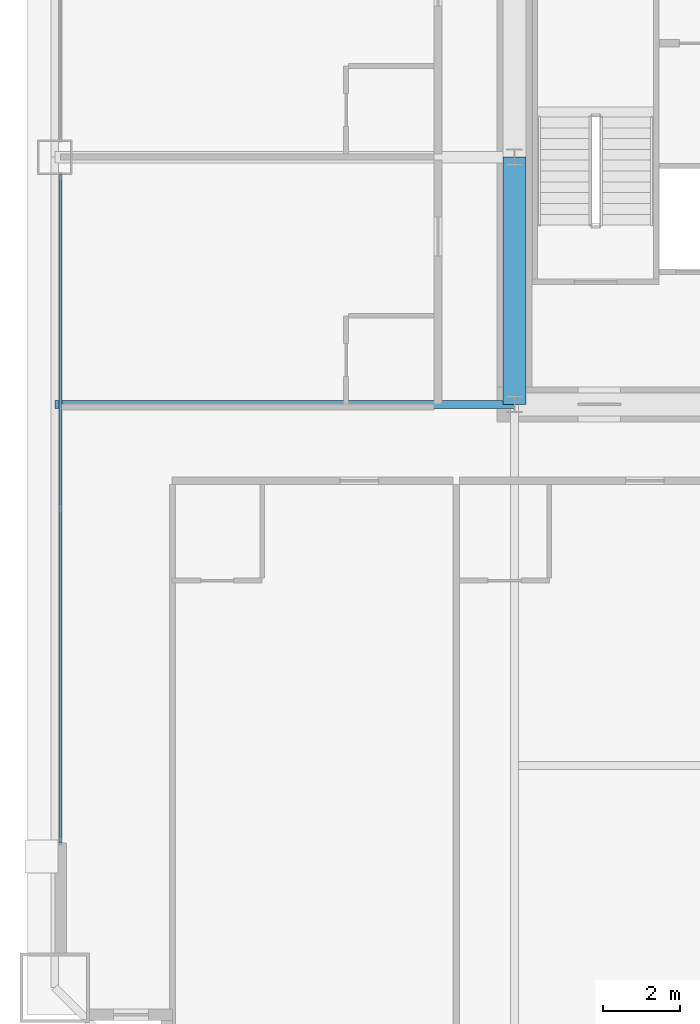
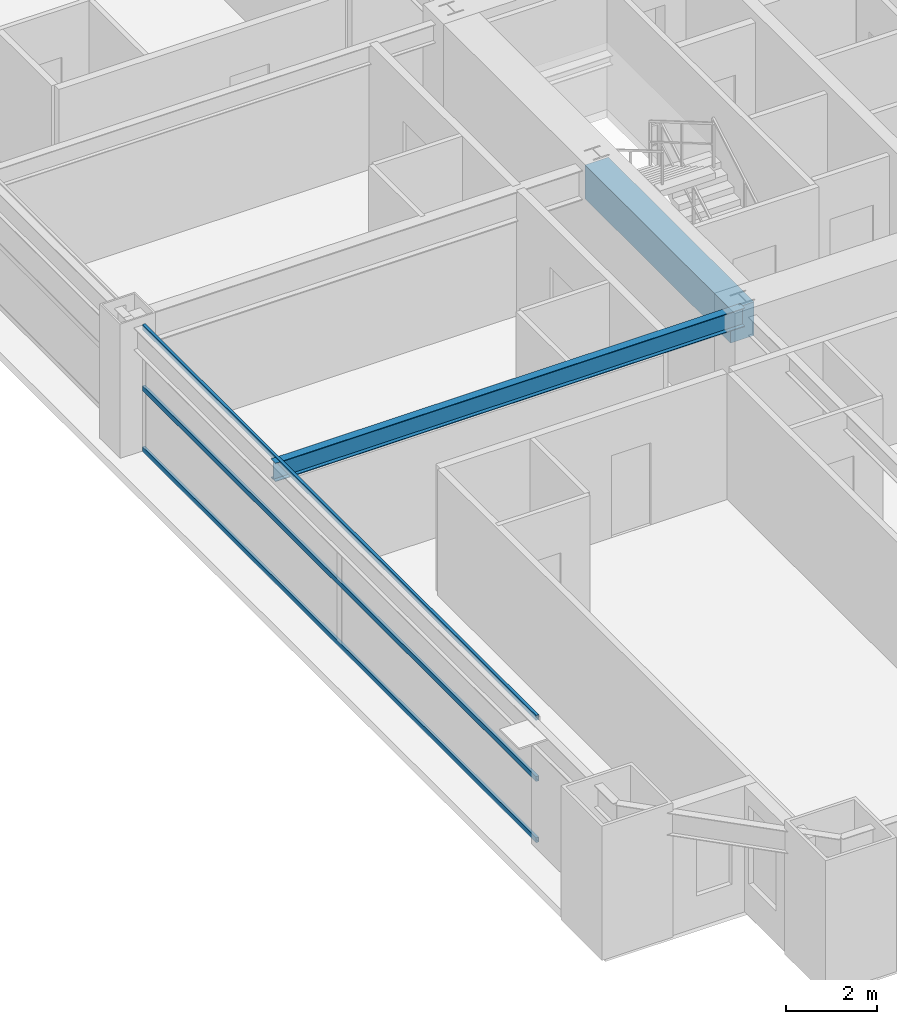
# One storey, part 11 of 45: 3 members, 2 beams, 1 element without a shape of its own.
"""IFC4 building model written with IfcOpenShell, lengths in metres."""

import ifcopenshell
import ifcopenshell.guid

model = None  # the IFC model being written
_history = None  # IfcOwnerHistory: only IFC2X3 demands one
_inside = {}  # id of a spatial element -> (the spatial element, [elements in it])
_under = {}  # id of a project, library or spatial element -> (it, [spatial elements below it])
_declared = {}  # id of a project -> (the project, [libraries it declares])
_typed = {}  # id of a type object -> (the type object, [elements of that type])
_made_of = {}  # id of a material, layer set ... -> (it, [elements and type objects made of it])


def new_model(schema):
    """Start an empty IFC model of exactly this schema.

    Asked for "IFC4X3", IfcOpenShell would pick the latest addendum, in which some entities
    have other attributes; the version numbers below select the first issue.
    IFC2X3 requires an IfcOwnerHistory on every rooted entity: one is made here for all.
    """
    global model, _history
    if schema == "IFC4X3":
        model = ifcopenshell.file(schema_version=(4, 3, 0, 0))
    else:
        model = ifcopenshell.file(schema=schema)
    _inside.clear()
    _under.clear()
    _declared.clear()
    _typed.clear()
    _made_of.clear()
    _history = None
    if model.schema == "IFC2X3":
        org = make("IfcOrganization", Name="unknown")
        user = make(
            "IfcPersonAndOrganization",
            ThePerson=make("IfcPerson", FamilyName="unknown"),
            TheOrganization=org,
        )
        app = make(
            "IfcApplication",
            ApplicationDeveloper=org,
            Version="unknown",
            ApplicationFullName="unknown",
            ApplicationIdentifier="unknown",
        )
        _history = make(
            "IfcOwnerHistory",
            OwningUser=user,
            OwningApplication=app,
            ChangeAction="ADDED",
            CreationDate=0,
        )
    return model


def make(cls, **values):
    """One entity of the class cls with the attributes given. An attribute that is None is left unset."""
    return model.create_entity(
        cls, **{name: value for name, value in values.items() if value is not None}
    )


def rooted(cls, **values):
    """An entity with a GlobalId (a new one), such as an element, a storey or a relation."""
    return make(cls, GlobalId=ifcopenshell.guid.new(), OwnerHistory=_history, **values)


def si_unit(unit_type, name, prefix=None):
    """IfcSIUnit, for example si_unit("LENGTHUNIT", "METRE", prefix="MILLI")."""
    return make("IfcSIUnit", UnitType=unit_type, Prefix=prefix, Name=name)


def assignment(units):
    """IfcUnitAssignment: the units of a project."""
    return None if units is None else make("IfcUnitAssignment", Units=units)


def point(xyz):
    """IfcCartesianPoint."""
    return None if xyz is None else make("IfcCartesianPoint", Coordinates=xyz)


def direction(xyz):
    """IfcDirection."""
    return None if xyz is None else make("IfcDirection", DirectionRatios=xyz)


def frame(location, z_axis=None, x_axis=None):
    """IfcAxis2Placement3D, a coordinate frame: its origin and axes. An axis left out is left unset."""
    return make(
        "IfcAxis2Placement3D",
        Location=point(location),
        Axis=direction(z_axis),
        RefDirection=direction(x_axis),
    )


def frame_2d(location, x_axis=None):
    """IfcAxis2Placement2D, a coordinate frame in the plane: its origin and x axis."""
    return make(
        "IfcAxis2Placement2D", Location=point(location), RefDirection=direction(x_axis)
    )


def origin():
    """The frame at (0, 0, 0) with its axes left unset."""
    return frame((0.0, 0.0, 0.0))


def origin_2d():
    """The frame at (0, 0) in the plane with its x axis left unset."""
    return frame_2d((0.0, 0.0))


def place(relative_to, where):
    """IfcLocalPlacement: puts the frame where relative to a parent placement (None: the world)."""
    return make(
        "IfcLocalPlacement", PlacementRelTo=relative_to, RelativePlacement=where
    )


def context(
    kind, dimensions, precision=None, world=None, true_north=None, identifier=None
):
    """IfcGeometricRepresentationContext, for example the 3D "Model" context."""
    return make(
        "IfcGeometricRepresentationContext",
        ContextIdentifier=identifier,
        ContextType=kind,
        CoordinateSpaceDimension=dimensions,
        Precision=precision,
        WorldCoordinateSystem=world,
        TrueNorth=true_north,
    )


def subcontext(parent, identifier, kind, view, scale=None):
    """IfcGeometricRepresentationSubContext, for example "Body" below "Model"."""
    return make(
        "IfcGeometricRepresentationSubContext",
        ContextIdentifier=identifier,
        ContextType=kind,
        ParentContext=parent,
        TargetScale=scale,
        TargetView=view,
    )


def project(units=None, contexts=None):
    """IfcProject with its units and contexts."""
    return rooted(
        "IfcProject",
        Name="project",
        RepresentationContexts=contexts,
        UnitsInContext=assignment(units),
    )


def spatial(cls, under=None, at=None, **own):
    """A site, building, storey or space (cls), placed at a placement, below another one or the project."""
    s = rooted(cls, ObjectPlacement=at, **own)
    if under is not None:
        _under.setdefault(under.id(), (under, []))[1].append(s)
    return s


def profile(cls, at=None, kind="AREA", **sizes):
    """A parametric profile (cls). Its sizes go by their IFC names, for example OverallWidth=200.0."""
    return make(cls, ProfileType=kind, Position=at, **sizes)


def rectangle(**sizes):
    """IfcRectangleProfileDef."""
    return profile("IfcRectangleProfileDef", **sizes)


def hollow_rectangle(**sizes):
    """IfcRectangleHollowProfileDef."""
    return profile("IfcRectangleHollowProfileDef", **sizes)


def i_section(**sizes):
    """IfcIShapeProfileDef."""
    return profile("IfcIShapeProfileDef", **sizes)


def extrude(swept, where, along, depth):
    """IfcExtrudedAreaSolid: the profile swept, set in the frame where, extruded along a direction by depth."""
    return make(
        "IfcExtrudedAreaSolid",
        SweptArea=swept,
        Position=where,
        ExtrudedDirection=direction(along),
        Depth=depth,
    )


def shape(context_of_items, identifier, shape_type, items):
    """IfcShapeRepresentation: the items that make up one representation, for example the "Body"."""
    return make(
        "IfcShapeRepresentation",
        ContextOfItems=context_of_items,
        RepresentationIdentifier=identifier,
        RepresentationType=shape_type,
        Items=items,
    )


def source(mapping_origin, context_of_items, identifier, shape_type, items):
    """IfcRepresentationMap: a shape defined once, which mapped items show again and again."""
    return make(
        "IfcRepresentationMap",
        MappingOrigin=mapping_origin,
        MappedRepresentation=shape(context_of_items, identifier, shape_type, items),
    )


def transform(
    local_origin,
    x_axis=None,
    y_axis=None,
    z_axis=None,
    scale=None,
    scale2=None,
    scale3=None,
    uniform=True,
):
    """IfcCartesianTransformationOperator3D, or its non-uniform kind. x_axis, y_axis, z_axis: its Axis1, 2, 3."""
    if uniform:
        return make(
            "IfcCartesianTransformationOperator3D",
            Axis1=direction(x_axis),
            Axis2=direction(y_axis),
            LocalOrigin=point(local_origin),
            Scale=scale,
            Axis3=direction(z_axis),
        )
    return make(
        "IfcCartesianTransformationOperator3DnonUniform",
        Axis1=direction(x_axis),
        Axis2=direction(y_axis),
        LocalOrigin=point(local_origin),
        Scale=scale,
        Axis3=direction(z_axis),
        Scale2=scale2,
        Scale3=scale3,
    )


def mapped(mapping_source, mapping_target):
    """IfcMappedItem: shows the shape of a source again, moved by a transform."""
    return make(
        "IfcMappedItem", MappingSource=mapping_source, MappingTarget=mapping_target
    )


def material(Name=None, Category=None):
    """IfcMaterial."""
    return make("IfcMaterial", Name=Name, Category=Category)


def layer(
    of_material, thickness, ventilated=None, Name=None, Category=None, Priority=None
):
    """IfcMaterialLayer: one layer of a wall or slab, of a material (None: an air gap)."""
    return make(
        "IfcMaterialLayer",
        Material=of_material,
        LayerThickness=thickness,
        IsVentilated=ventilated,
        Name=Name,
        Category=Category,
        Priority=Priority,
    )


def layer_set(layers, Name=None):
    """IfcMaterialLayerSet."""
    return make("IfcMaterialLayerSet", MaterialLayers=layers, LayerSetName=Name)


def material_profile(
    of_material, cross_section, Name=None, Category=None, Priority=None
):
    """IfcMaterialProfile: a cross section and its material."""
    return make(
        "IfcMaterialProfile",
        Name=Name,
        Material=of_material,
        Profile=cross_section,
        Priority=Priority,
        Category=Category,
    )


def profile_set(profiles, Name=None, composite=None):
    """IfcMaterialProfileSet."""
    return make(
        "IfcMaterialProfileSet",
        Name=Name,
        MaterialProfiles=profiles,
        CompositeProfile=composite,
    )


def made_of(thing, what):
    """Note that an element or type object is made of a material, layer set ...; save() writes the relation."""
    if what is not None:
        _made_of.setdefault(what.id(), (what, []))[1].append(thing)
    return thing


def type_object(cls, material=None, **own):
    """A type object (cls), such as IfcWallType, which elements share."""
    return made_of(rooted(cls, **own), material)


def element(
    cls,
    number,
    at=None,
    inside=None,
    cuts=None,
    type_object=None,
    material=None,
    context=None,
    identifier="Body",
    shape_type=None,
    held_by="IfcProductDefinitionShape",
    body=None,
    shapes=None,
    **own,
):
    """One element of the class cls, such as IfcWall. Its Tag is "e" and its number.

    at: its placement. inside: the storey or other place that contains it. cuts: it is an
    opening in that element (IfcRelVoidsElement). A single representation is given by context,
    identifier, shape_type and body (its items); several are given by shapes. held_by: the class
    of the entity that holds the representations. save() writes the other relations.
    """
    e = rooted(cls, Tag="e%d" % number, ObjectPlacement=at, **own)
    if body is not None:
        shapes = [shape(context, identifier, shape_type, body)]
    if shapes is not None:
        e.Representation = make(held_by, Representations=shapes)
    if inside is not None:
        _inside.setdefault(inside.id(), (inside, []))[1].append(e)
    if cuts is not None:
        rooted(
            "IfcRelVoidsElement", RelatingBuildingElement=cuts, RelatedOpeningElement=e
        )
    if type_object is not None:
        _typed.setdefault(type_object.id(), (type_object, []))[1].append(e)
    return made_of(e, material)


def aggregate(whole, parts):
    """IfcRelAggregates: a whole, such as a stair, and the parts it consists of."""
    return rooted("IfcRelAggregates", RelatingObject=whole, RelatedObjects=parts)


def save(model, path):
    """Write the relations noted so far, then the file.

    IfcRelAggregates (storeys below a building ...), IfcRelContainedInSpatialStructure (elements
    in a storey), IfcRelDefinesByType, IfcRelAssociatesMaterial and IfcRelDeclares: one each for
    every whole, place, type object, material and project.
    """
    for whole, parts in _under.values():
        aggregate(whole, parts)
    for where, things in _inside.values():
        rooted(
            "IfcRelContainedInSpatialStructure",
            RelatedElements=things,
            RelatingStructure=where,
        )
    for kind, things in _typed.values():
        rooted("IfcRelDefinesByType", RelatedObjects=things, RelatingType=kind)
    for what, things in _made_of.values():
        rooted("IfcRelAssociatesMaterial", RelatedObjects=things, RelatingMaterial=what)
    for by, libraries in _declared.values():
        rooted("IfcRelDeclares", RelatingContext=by, RelatedDefinitions=libraries)
    model.write(path)


model = new_model("IFC4")

# Units and contexts
model_context = context("Model", 3, precision=1e-05, world=origin(), true_north=direction((0.0, 1.0)))
body_context = subcontext(model_context, "Body", "Model", "MODEL_VIEW")
ifc_project = project(units=[si_unit("LENGTHUNIT", "METRE"), si_unit("AREAUNIT", "SQUARE_METRE"), si_unit("VOLUMEUNIT", "CUBIC_METRE"), si_unit("PLANEANGLEUNIT", "RADIAN"), si_unit("MASSUNIT", "GRAM", prefix="KILO"), si_unit("THERMODYNAMICTEMPERATUREUNIT", "KELVIN"), si_unit("POWERUNIT", "WATT")], contexts=[model_context])

# Site, building, storey
site_placement = place(None, origin())
site = spatial("IfcSite", under=ifc_project, at=site_placement, CompositionType="ELEMENT")
building_placement = place(site_placement, origin())
building = spatial("IfcBuilding", under=site, at=building_placement, Name="Yuzanri Waterfront Tower", CompositionType="ELEMENT")
storey_placement = place(building_placement, frame((0.0, 0.0, 34.199951171875)))
storey = spatial("IfcBuildingStorey", under=building, at=storey_placement, Name="L08", CompositionType="ELEMENT", Elevation=34.199951171875)

# Beams
ifc_material_1 = material(Name="Concrete C60", Category="concrete")
ifc_material_profile_1 = material_profile(ifc_material_1, rectangle(XDim=0.60009765625, YDim=0.89990234375, at=origin_2d()), Name="RC 600x900")
ifc_profile_set_1 = profile_set([ifc_material_profile_1], Name="Concrete C60")
beam_type_1 = type_object("IfcBeamType", Name="Core Coupling Lintel Concrete C60 600x900", PredefinedType="LINTEL", material=ifc_profile_set_1)
shared_shape_1 = source(origin(), body_context, "Body", "SweptSolid", [
    extrude(rectangle(XDim=0.60009765625, YDim=0.89990234375, at=origin_2d()), origin(), (0.0, 0.0, 1.0), 6.400146484375),
])
beam_1_placement = place(storey_placement, frame((23.800048828125, 19.39990234375, 2.929931640625), z_axis=(0.0, 1.0, 0.0), x_axis=(-1.0, 0.0, 0.0)))
element("IfcBeam", 1, at=beam_1_placement, inside=storey, type_object=beam_type_1, Name="L08 Core Tie Beam CW1", PredefinedType="LINTEL", context=body_context, shape_type="MappedRepresentation", body=[
    mapped(shared_shape_1, transform((0.0, 0.0, 0.0), scale=1.0)),
])
ifc_material_2 = material(Name="Steel Q355B", Category="steel")
ifc_material_profile_2 = material_profile(ifc_material_2, i_section(OverallWidth=0.199951171875, OverallDepth=0.5, WebThickness=0.010009765625, FlangeThickness=0.01611328125, at=origin_2d()), Name="HN 500x200x10x16")
ifc_profile_set_2 = profile_set([ifc_material_profile_2], Name="Steel Q355B")
beam_type_2 = type_object("IfcBeamType", Name="Secondary Floor Beam Q355B HN 500x200", PredefinedType="BEAM", material=ifc_profile_set_2)
shared_shape_2 = source(origin(), body_context, "Body", "SweptSolid", [
    extrude(i_section(OverallWidth=0.199951171875, OverallDepth=0.5, WebThickness=0.010009765625, FlangeThickness=0.01611328125, at=origin_2d()), origin(), (0.0, 0.0, 1.0), 11.900146484375),
])
beam_2_placement = place(storey_placement, frame((23.800048828125, 19.39990234375, 3.130126953125), z_axis=(-1.0, 0.0, 0.0), x_axis=(0.0, -1.0, 0.0)))
element("IfcBeam", 2, at=beam_2_placement, inside=storey, type_object=beam_type_2, Name="L08 West-South Core Line Beam", PredefinedType="BEAM", context=body_context, shape_type="MappedRepresentation", body=[
    mapped(shared_shape_2, transform((0.0, 0.0, 0.0), scale=1.0)),
])

# Curtain wall, members
ifc_material_3 = material(Name="Anodized Architectural Bronze", Category="metal")
ifc_layer = layer(ifc_material_3, 0.159912109375)
ifc_layer_set = layer_set([ifc_layer], Name="Anodized Architectural Bronze")
curtain_wall_type = type_object("IfcCurtainWallType", Name="Anodized Bronze Hotel Lower-Tier Recessed Unitized Curtain Wall 8100", PredefinedType="NOTDEFINED", material=ifc_layer_set)
curtain_wall_placement = place(storey_placement, origin())
curtain_wall = element("IfcCurtainWall", 3, at=curtain_wall_placement, inside=storey, type_object=curtain_wall_type, Name="L08 Curtain Wall CW-L08-WL", PredefinedType="NOTDEFINED")
ifc_material_4 = material(Name="Anodized Architectural Bronze", Category="metal")
ifc_material_profile_3 = material_profile(ifc_material_4, hollow_rectangle(XDim=0.070068359375, YDim=0.135009765625, WallThickness=0.00341796875, at=origin_2d()), Name="CWT 70x135")
ifc_profile_set_3 = profile_set([ifc_material_profile_3], Name="Anodized Architectural Bronze")
member_type = type_object("IfcMemberType", Name="Anodized Bronze Standard Curtain-Wall Transom 70x135", PredefinedType="USERDEFINED", material=ifc_profile_set_3)
shared_shape_3 = source(origin(), body_context, "Body", "SweptSolid", [
    extrude(hollow_rectangle(XDim=0.070068359375, YDim=0.135009765625, WallThickness=0.00341796875, at=origin_2d()), origin(), (0.0, 0.0, 1.0), 17.300048828125),
])
member_1_placement = place(storey_placement, frame((12.050048828125, 8.050048828125, 0.050048828125), z_axis=(0.0, 1.0, 0.0), x_axis=(-1.0, 0.0, 0.0)))
member_1 = element("IfcMember", 4, at=member_1_placement, type_object=member_type, Name="CW-L08-WL Transom 1", ObjectType="TRANSOM", PredefinedType="USERDEFINED", context=body_context, shape_type="MappedRepresentation", body=[
    mapped(shared_shape_3, transform((0.0, 0.0, 0.0), scale=1.0)),
])
member_2_placement = place(storey_placement, frame((12.050048828125, 8.050048828125, 1.68994140625), z_axis=(0.0, 1.0, 0.0), x_axis=(-1.0, 0.0, 0.0)))
member_2 = element("IfcMember", 5, at=member_2_placement, type_object=member_type, Name="CW-L08-WL Transom 2", ObjectType="TRANSOM", PredefinedType="USERDEFINED", context=body_context, shape_type="MappedRepresentation", body=[
    mapped(shared_shape_3, transform((0.0, 0.0, 0.0), scale=1.0)),
])
member_3_placement = place(storey_placement, frame((12.050048828125, 8.050048828125, 3.330078125), z_axis=(0.0, 1.0, 0.0), x_axis=(-1.0, 0.0, 0.0)))
member_3 = element("IfcMember", 6, at=member_3_placement, type_object=member_type, Name="CW-L08-WL Transom 3", ObjectType="TRANSOM", PredefinedType="USERDEFINED", context=body_context, shape_type="MappedRepresentation", body=[
    mapped(shared_shape_3, transform((0.0, 0.0, 0.0), scale=1.0)),
])
aggregate(curtain_wall, [member_1, member_2, member_3])

save(model, "model.ifc")
